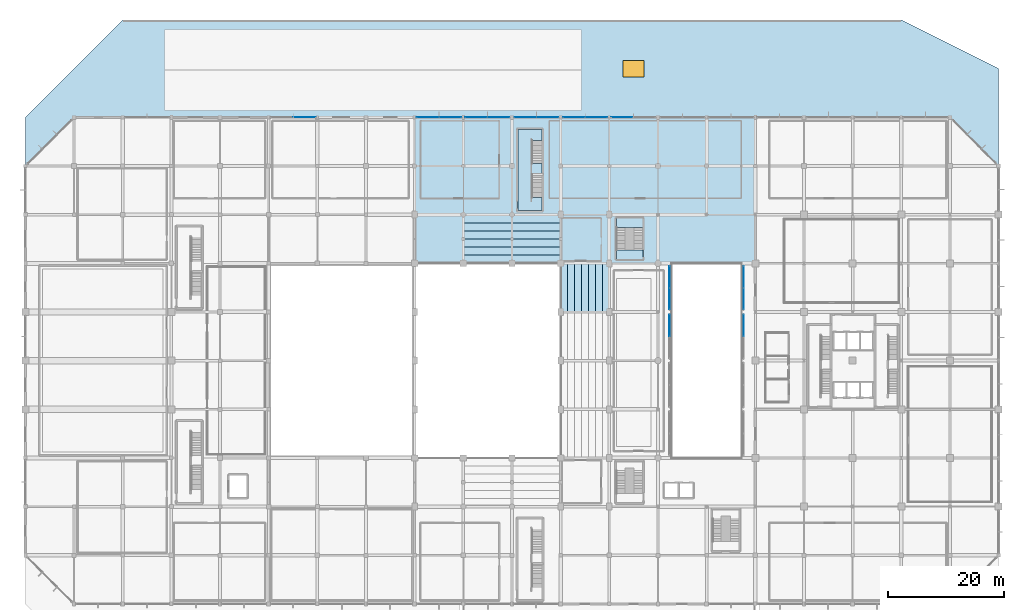
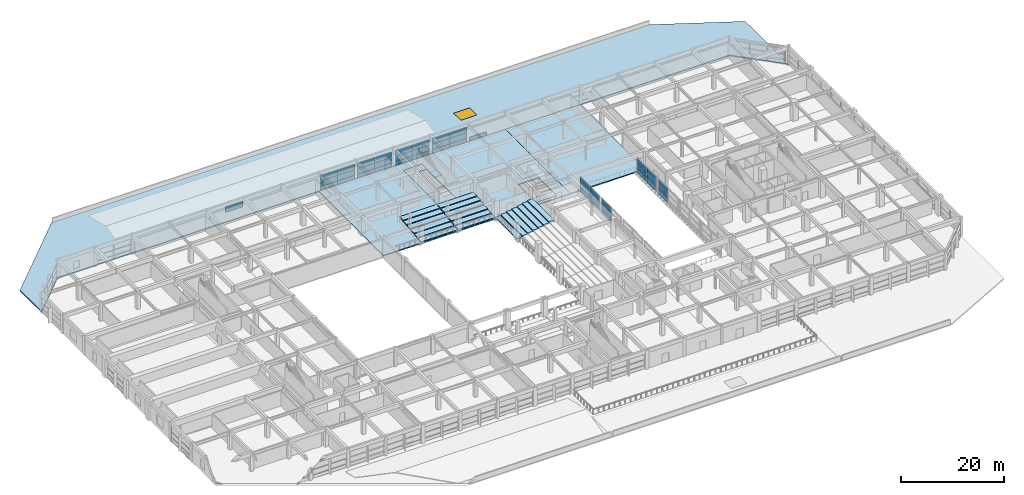
# One storey, part 39 of 60: 44 plates, 10 slabs, 1 window, 1 opening, 12 elements without a shape of their own.
"""IFC4 building model written with IfcOpenShell, lengths in metres."""

from ifc_helpers import new_model, si_unit, direction, frame, origin, origin_2d, place, context, subcontext, project, spatial, polyline, rectangle, outline, extrude, material, layer, layer_set, type_object, element, fill, aggregate, save


model = new_model("IFC4")

# Units and contexts
model_context = context("Model", 3, precision=1e-05, world=origin(), true_north=direction((0.0, 1.0)))
body_context = subcontext(model_context, "Body", "Model", "MODEL_VIEW")
ifc_project = project(units=[si_unit("LENGTHUNIT", "METRE"), si_unit("AREAUNIT", "SQUARE_METRE"), si_unit("VOLUMEUNIT", "CUBIC_METRE"), si_unit("PLANEANGLEUNIT", "RADIAN"), si_unit("MASSUNIT", "GRAM", prefix="KILO")], contexts=[model_context])

# Site, building, storey
site_placement = place(None, origin())
site = spatial("IfcSite", under=ifc_project, at=site_placement, CompositionType="ELEMENT")
building_placement = place(site_placement, origin())
building = spatial("IfcBuilding", under=site, at=building_placement, Name="Xuanlan Plaza Opera House", CompositionType="ELEMENT")
storey_placement = place(building_placement, frame((0.0, 0.0, 9.89990234375)))
storey = spatial("IfcBuildingStorey", under=building, at=storey_placement, Name="L02", CompositionType="ELEMENT", Elevation=9.89990234375)

# Curtain wall, plates
ifc_material_1 = material(Name="Anodised Aluminium 6063-T6 and Low-E Glass", Category="aluminium")
curtain_wall_type_1 = type_object("IfcCurtainWallType", Name="ENV-CW-CW-06", PredefinedType="USERDEFINED", material=ifc_material_1)
curtain_wall_1_placement = place(storey_placement, origin())
curtain_wall_1 = element("IfcCurtainWall", 1, at=curtain_wall_1_placement, inside=storey, type_object=curtain_wall_type_1, Name="Acoustic Glazed Wall L02-039", ObjectType="ACOUSTIC GLAZED WALL", PredefinedType="USERDEFINED")
ifc_material_2 = material(Name="Laminated Acoustic Double Glazing", Category="glass")
ifc_layer_1 = layer(ifc_material_2, 0.028076171875)
ifc_layer_set_1 = layer_set([ifc_layer_1], Name="Laminated Acoustic Double Glazing")
plate_type_1 = type_object("IfcPlateType", Name="ENV-CWP-01", PredefinedType="CURTAIN_PANEL", material=ifc_layer_set_1)
plate_1_placement = place(storey_placement, frame((73.358642578125, 100.800048828125, 0.0703125), z_axis=(0.0, 0.0, 1.0), x_axis=(-1.0, 0.0, 0.0)))
plate_1 = element("IfcPlate", 2, at=plate_1_placement, type_object=plate_type_1, Name="CW-06 panel 1.1", PredefinedType="CURTAIN_PANEL", context=body_context, shape_type="SweptSolid", body=[
    extrude(rectangle(XDim=3.79248046875, YDim=0.028076171875, at=origin_2d()), origin(), (0.0, 0.0, 1.0), 0.844970703125),
])
plate_2_placement = place(storey_placement, frame((73.358642578125, 100.800048828125, 0.985107421875), z_axis=(0.0, 0.0, 1.0), x_axis=(-1.0, 0.0, 0.0)))
plate_2 = element("IfcPlate", 3, at=plate_2_placement, type_object=plate_type_1, Name="CW-06 panel 1.2", PredefinedType="CURTAIN_PANEL", context=body_context, shape_type="SweptSolid", body=[
    extrude(rectangle(XDim=3.79248046875, YDim=0.028076171875, at=origin_2d()), origin(), (0.0, 0.0, 1.0), 1.22998046875),
])
plate_3_placement = place(storey_placement, frame((73.358642578125, 100.800048828125, 2.28515625), z_axis=(0.0, 0.0, 1.0), x_axis=(-1.0, 0.0, 0.0)))
plate_3 = element("IfcPlate", 4, at=plate_3_placement, type_object=plate_type_1, Name="CW-06 panel 1.3", PredefinedType="CURTAIN_PANEL", context=body_context, shape_type="SweptSolid", body=[
    extrude(rectangle(XDim=3.79248046875, YDim=0.028076171875, at=origin_2d()), origin(), (0.0, 0.0, 1.0), 1.324951171875),
])
plate_4_placement = place(storey_placement, frame((69.4912109375, 100.800048828125, 0.0703125), z_axis=(0.0, 0.0, 1.0), x_axis=(-1.0, 0.0, 0.0)))
plate_4 = element("IfcPlate", 5, at=plate_4_placement, type_object=plate_type_1, Name="CW-06 panel 2.1", PredefinedType="CURTAIN_PANEL", context=body_context, shape_type="SweptSolid", body=[
    extrude(rectangle(XDim=3.79248046875, YDim=0.028076171875, at=origin_2d()), origin(), (0.0, 0.0, 1.0), 0.844970703125),
])
plate_5_placement = place(storey_placement, frame((69.4912109375, 100.800048828125, 0.985107421875), z_axis=(0.0, 0.0, 1.0), x_axis=(-1.0, 0.0, 0.0)))
plate_5 = element("IfcPlate", 6, at=plate_5_placement, type_object=plate_type_1, Name="CW-06 panel 2.2", PredefinedType="CURTAIN_PANEL", context=body_context, shape_type="SweptSolid", body=[
    extrude(rectangle(XDim=3.79248046875, YDim=0.028076171875, at=origin_2d()), origin(), (0.0, 0.0, 1.0), 1.22998046875),
])
plate_6_placement = place(storey_placement, frame((69.4912109375, 100.800048828125, 2.28515625), z_axis=(0.0, 0.0, 1.0), x_axis=(-1.0, 0.0, 0.0)))
plate_6 = element("IfcPlate", 7, at=plate_6_placement, type_object=plate_type_1, Name="CW-06 panel 2.3", PredefinedType="CURTAIN_PANEL", context=body_context, shape_type="SweptSolid", body=[
    extrude(rectangle(XDim=3.79248046875, YDim=0.028076171875, at=origin_2d()), origin(), (0.0, 0.0, 1.0), 1.324951171875),
])
aggregate(curtain_wall_1, [plate_1, plate_2, plate_3, plate_4, plate_5, plate_6])

curtain_wall_type_2 = type_object("IfcCurtainWallType", Name="ENV-CW-CW-05", PredefinedType="USERDEFINED", material=ifc_material_1)
curtain_wall_2_placement = place(storey_placement, origin())
curtain_wall_2 = element("IfcCurtainWall", 8, at=curtain_wall_2_placement, inside=storey, type_object=curtain_wall_type_2, Name="Acoustic Glazed Wall L02-036", ObjectType="ACOUSTIC GLAZED WALL", PredefinedType="USERDEFINED")
ifc_layer_2 = layer(ifc_material_2, 0.031982421875)
ifc_layer_set_2 = layer_set([ifc_layer_2], Name="Laminated Acoustic Double Glazing")
plate_type_2 = type_object("IfcPlateType", Name="ENV-CWP-02", PredefinedType="CURTAIN_PANEL", material=ifc_layer_set_2)
plate_7_placement = place(storey_placement, frame((98.57373046875, 100.800048828125, 0.065185546875), z_axis=(0.0, 0.0, 1.0), x_axis=(-1.0, 0.0, 0.0)))
plate_7 = element("IfcPlate", 9, at=plate_7_placement, type_object=plate_type_2, Name="CW-05 panel 1.1", PredefinedType="CURTAIN_PANEL", context=body_context, shape_type="SweptSolid", body=[
    extrude(rectangle(XDim=3.782470703125, YDim=0.031982421875, at=origin_2d()), origin(), (0.0, 0.0, 1.0), 0.8525390625),
])
plate_8_placement = place(storey_placement, frame((98.57373046875, 100.800048828125, 0.982421875), z_axis=(0.0, 0.0, 1.0), x_axis=(-1.0, 0.0, 0.0)))
plate_8 = element("IfcPlate", 10, at=plate_8_placement, type_object=plate_type_2, Name="CW-05 panel 1.2", PredefinedType="CURTAIN_PANEL", context=body_context, shape_type="SweptSolid", body=[
    extrude(rectangle(XDim=3.782470703125, YDim=0.031982421875, at=origin_2d()), origin(), (0.0, 0.0, 1.0), 1.235107421875),
])
plate_9_placement = place(storey_placement, frame((98.57373046875, 100.800048828125, 2.282470703125), z_axis=(0.0, 0.0, 1.0), x_axis=(-1.0, 0.0, 0.0)))
plate_9 = element("IfcPlate", 11, at=plate_9_placement, type_object=plate_type_2, Name="CW-05 panel 1.3", PredefinedType="CURTAIN_PANEL", context=body_context, shape_type="SweptSolid", body=[
    extrude(rectangle(XDim=3.782470703125, YDim=0.031982421875, at=origin_2d()), origin(), (0.0, 0.0, 1.0), 1.33251953125),
])
plate_10_placement = place(storey_placement, frame((94.701171875, 100.800048828125, 0.065185546875), z_axis=(0.0, 0.0, 1.0), x_axis=(-1.0, 0.0, 0.0)))
plate_10 = element("IfcPlate", 12, at=plate_10_placement, type_object=plate_type_2, Name="CW-05 panel 2.1", PredefinedType="CURTAIN_PANEL", context=body_context, shape_type="SweptSolid", body=[
    extrude(rectangle(XDim=3.782470703125, YDim=0.031982421875, at=origin_2d()), origin(), (0.0, 0.0, 1.0), 0.8525390625),
])
plate_11_placement = place(storey_placement, frame((94.701171875, 100.800048828125, 0.982421875), z_axis=(0.0, 0.0, 1.0), x_axis=(-1.0, 0.0, 0.0)))
plate_11 = element("IfcPlate", 13, at=plate_11_placement, type_object=plate_type_2, Name="CW-05 panel 2.2", PredefinedType="CURTAIN_PANEL", context=body_context, shape_type="SweptSolid", body=[
    extrude(rectangle(XDim=3.782470703125, YDim=0.031982421875, at=origin_2d()), origin(), (0.0, 0.0, 1.0), 1.235107421875),
])
plate_12_placement = place(storey_placement, frame((94.701171875, 100.800048828125, 2.282470703125), z_axis=(0.0, 0.0, 1.0), x_axis=(-1.0, 0.0, 0.0)))
plate_12 = element("IfcPlate", 14, at=plate_12_placement, type_object=plate_type_2, Name="CW-05 panel 2.3", PredefinedType="CURTAIN_PANEL", context=body_context, shape_type="SweptSolid", body=[
    extrude(rectangle(XDim=3.782470703125, YDim=0.031982421875, at=origin_2d()), origin(), (0.0, 0.0, 1.0), 1.33251953125),
])
aggregate(curtain_wall_2, [plate_7, plate_8, plate_9, plate_10, plate_11, plate_12])

curtain_wall_3_placement = place(storey_placement, origin())
curtain_wall_3 = element("IfcCurtainWall", 15, at=curtain_wall_3_placement, inside=storey, type_object=curtain_wall_type_2, Name="Acoustic Glazed Wall L02-038", ObjectType="ACOUSTIC GLAZED WALL", PredefinedType="USERDEFINED")
ifc_layer_3 = layer(ifc_material_2, 0.035888671875)
ifc_layer_set_3 = layer_set([ifc_layer_3], Name="Laminated Acoustic Double Glazing")
plate_type_3 = type_object("IfcPlateType", Name="ENV-CWP-03", PredefinedType="CURTAIN_PANEL", material=ifc_layer_set_3)
plate_13_placement = place(storey_placement, frame((81.672607421875, 100.800048828125, 0.090087890625), z_axis=(0.0, 0.0, 1.0), x_axis=(-1.0, 0.0, 0.0)))
plate_13 = element("IfcPlate", 16, at=plate_13_placement, type_object=plate_type_3, Name="CW-05 panel 1.1", PredefinedType="CURTAIN_PANEL", context=body_context, shape_type="SweptSolid", body=[
    extrude(rectangle(XDim=3.77490234375, YDim=0.035888671875, at=origin_2d()), origin(), (0.0, 0.0, 1.0), 0.81494140625),
])
plate_14_placement = place(storey_placement, frame((81.672607421875, 100.800048828125, 0.9951171875), z_axis=(0.0, 0.0, 1.0), x_axis=(-1.0, 0.0, 0.0)))
plate_14 = element("IfcPlate", 17, at=plate_14_placement, type_object=plate_type_3, Name="CW-05 panel 1.2", PredefinedType="CURTAIN_PANEL", context=body_context, shape_type="SweptSolid", body=[
    extrude(rectangle(XDim=3.77490234375, YDim=0.035888671875, at=origin_2d()), origin(), (0.0, 0.0, 1.0), 1.2099609375),
])
plate_15_placement = place(storey_placement, frame((81.672607421875, 100.800048828125, 2.295166015625), z_axis=(0.0, 0.0, 1.0), x_axis=(-1.0, 0.0, 0.0)))
plate_15 = element("IfcPlate", 18, at=plate_15_placement, type_object=plate_type_3, Name="CW-05 panel 1.3", PredefinedType="CURTAIN_PANEL", context=body_context, shape_type="SweptSolid", body=[
    extrude(rectangle(XDim=3.77490234375, YDim=0.035888671875, at=origin_2d()), origin(), (0.0, 0.0, 1.0), 1.294921875),
])
plate_16_placement = place(storey_placement, frame((77.827392578125, 100.800048828125, 0.090087890625), z_axis=(0.0, 0.0, 1.0), x_axis=(-1.0, 0.0, 0.0)))
plate_16 = element("IfcPlate", 19, at=plate_16_placement, type_object=plate_type_3, Name="CW-05 panel 2.1", PredefinedType="CURTAIN_PANEL", context=body_context, shape_type="SweptSolid", body=[
    extrude(rectangle(XDim=3.77490234375, YDim=0.035888671875, at=origin_2d()), origin(), (0.0, 0.0, 1.0), 0.81494140625),
])
plate_17_placement = place(storey_placement, frame((77.827392578125, 100.800048828125, 0.9951171875), z_axis=(0.0, 0.0, 1.0), x_axis=(-1.0, 0.0, 0.0)))
plate_17 = element("IfcPlate", 20, at=plate_17_placement, type_object=plate_type_3, Name="CW-05 panel 2.2", PredefinedType="CURTAIN_PANEL", context=body_context, shape_type="SweptSolid", body=[
    extrude(rectangle(XDim=3.77490234375, YDim=0.035888671875, at=origin_2d()), origin(), (0.0, 0.0, 1.0), 1.2099609375),
])
plate_18_placement = place(storey_placement, frame((77.827392578125, 100.800048828125, 2.295166015625), z_axis=(0.0, 0.0, 1.0), x_axis=(-1.0, 0.0, 0.0)))
plate_18 = element("IfcPlate", 21, at=plate_18_placement, type_object=plate_type_3, Name="CW-05 panel 2.3", PredefinedType="CURTAIN_PANEL", context=body_context, shape_type="SweptSolid", body=[
    extrude(rectangle(XDim=3.77490234375, YDim=0.035888671875, at=origin_2d()), origin(), (0.0, 0.0, 1.0), 1.294921875),
])
aggregate(curtain_wall_3, [plate_13, plate_14, plate_15, plate_16, plate_17, plate_18])

# Curtain wall, plate
curtain_wall_4_placement = place(storey_placement, origin())
curtain_wall_4 = element("IfcCurtainWall", 22, at=curtain_wall_4_placement, inside=storey, type_object=curtain_wall_type_1, Name="Acoustic Glazed Wall L02-035", ObjectType="ACOUSTIC GLAZED WALL", PredefinedType="USERDEFINED")
ifc_layer_4 = layer(ifc_material_2, 0.0400390625)
ifc_layer_set_4 = layer_set([ifc_layer_4], Name="Laminated Acoustic Double Glazing")
plate_type_4 = type_object("IfcPlateType", Name="ENV-CWP-04", PredefinedType="CURTAIN_PANEL", material=ifc_layer_set_4)
plate_19_placement = place(storey_placement, frame((103.01123046875, 100.800048828125, 0.080078125), z_axis=(0.0, 0.0, 1.0), x_axis=(-1.0, 0.0, 0.0)))
plate_19 = element("IfcPlate", 23, at=plate_19_placement, type_object=plate_type_4, Name="CW-06 panel 2.1", PredefinedType="CURTAIN_PANEL", context=body_context, shape_type="SweptSolid", body=[
    extrude(rectangle(XDim=3.7724609375, YDim=0.0400390625, at=origin_2d()), origin(), (0.0, 0.0, 1.0), 0.830078125),
])
aggregate(curtain_wall_4, [plate_19])

# Curtain wall, plates
curtain_wall_5_placement = place(storey_placement, origin())
curtain_wall_5 = element("IfcCurtainWall", 24, at=curtain_wall_5_placement, inside=storey, type_object=curtain_wall_type_1, Name="Acoustic Glazed Wall L02-037", ObjectType="ACOUSTIC GLAZED WALL", PredefinedType="USERDEFINED")
ifc_layer_5 = layer(ifc_material_2, 0.0439453125)
ifc_layer_set_5 = layer_set([ifc_layer_5], Name="Laminated Acoustic Double Glazing")
plate_type_5 = type_object("IfcPlateType", Name="ENV-CWP-05", PredefinedType="CURTAIN_PANEL", material=ifc_layer_set_5)
plate_20_placement = place(storey_placement, frame((90.13623046875, 100.800048828125, 0.0751953125), z_axis=(0.0, 0.0, 1.0), x_axis=(-1.0, 0.0, 0.0)))
plate_20 = element("IfcPlate", 25, at=plate_20_placement, type_object=plate_type_5, Name="CW-06 panel 1.1", PredefinedType="CURTAIN_PANEL", context=body_context, shape_type="SweptSolid", body=[
    extrude(rectangle(XDim=3.757568359375, YDim=0.0439453125, at=origin_2d()), origin(), (0.0, 0.0, 1.0), 0.83740234375),
])
plate_21_placement = place(storey_placement, frame((90.13623046875, 100.800048828125, 0.987548828125), z_axis=(0.0, 0.0, 1.0), x_axis=(-1.0, 0.0, 0.0)))
plate_21 = element("IfcPlate", 26, at=plate_21_placement, type_object=plate_type_5, Name="CW-06 panel 1.2", PredefinedType="CURTAIN_PANEL", context=body_context, shape_type="SweptSolid", body=[
    extrude(rectangle(XDim=3.757568359375, YDim=0.0439453125, at=origin_2d()), origin(), (0.0, 0.0, 1.0), 1.22509765625),
])
plate_22_placement = place(storey_placement, frame((90.13623046875, 100.800048828125, 2.28759765625), z_axis=(0.0, 0.0, 1.0), x_axis=(-1.0, 0.0, 0.0)))
plate_22 = element("IfcPlate", 27, at=plate_22_placement, type_object=plate_type_5, Name="CW-06 panel 1.3", PredefinedType="CURTAIN_PANEL", context=body_context, shape_type="SweptSolid", body=[
    extrude(rectangle(XDim=3.757568359375, YDim=0.0439453125, at=origin_2d()), origin(), (0.0, 0.0, 1.0), 1.3173828125),
])
plate_23_placement = place(storey_placement, frame((86.313720703125, 100.800048828125, 0.0751953125), z_axis=(0.0, 0.0, 1.0), x_axis=(-1.0, 0.0, 0.0)))
plate_23 = element("IfcPlate", 28, at=plate_23_placement, type_object=plate_type_5, Name="CW-06 panel 2.1", PredefinedType="CURTAIN_PANEL", context=body_context, shape_type="SweptSolid", body=[
    extrude(rectangle(XDim=3.757568359375, YDim=0.0439453125, at=origin_2d()), origin(), (0.0, 0.0, 1.0), 0.83740234375),
])
plate_24_placement = place(storey_placement, frame((86.313720703125, 100.800048828125, 0.987548828125), z_axis=(0.0, 0.0, 1.0), x_axis=(-1.0, 0.0, 0.0)))
plate_24 = element("IfcPlate", 29, at=plate_24_placement, type_object=plate_type_5, Name="CW-06 panel 2.2", PredefinedType="CURTAIN_PANEL", context=body_context, shape_type="SweptSolid", body=[
    extrude(rectangle(XDim=3.757568359375, YDim=0.0439453125, at=origin_2d()), origin(), (0.0, 0.0, 1.0), 1.22509765625),
])
plate_25_placement = place(storey_placement, frame((86.313720703125, 100.800048828125, 2.28759765625), z_axis=(0.0, 0.0, 1.0), x_axis=(-1.0, 0.0, 0.0)))
plate_25 = element("IfcPlate", 30, at=plate_25_placement, type_object=plate_type_5, Name="CW-06 panel 2.3", PredefinedType="CURTAIN_PANEL", context=body_context, shape_type="SweptSolid", body=[
    extrude(rectangle(XDim=3.757568359375, YDim=0.0439453125, at=origin_2d()), origin(), (0.0, 0.0, 1.0), 1.3173828125),
])
aggregate(curtain_wall_5, [plate_20, plate_21, plate_22, plate_23, plate_24, plate_25])

# Curtain wall, plate
curtain_wall_type_3 = type_object("IfcCurtainWallType", Name="ENV-CW-CW-02", PredefinedType="USERDEFINED", material=ifc_material_1)
curtain_wall_6_placement = place(storey_placement, origin())
curtain_wall_6 = element("IfcCurtainWall", 31, at=curtain_wall_6_placement, inside=storey, type_object=curtain_wall_type_3, Name="Unitised Curtain Wall L02-042", ObjectType="UNITISED CURTAIN WALL", PredefinedType="USERDEFINED")
plate_26_placement = place(storey_placement, frame((48.179931640625, 100.800048828125, 2.28759765625), z_axis=(0.0, 0.0, 1.0), x_axis=(-1.0, 0.0, 0.0)))
plate_26 = element("IfcPlate", 32, at=plate_26_placement, type_object=plate_type_5, Name="CW-02 panel 1.3", PredefinedType="CURTAIN_PANEL", context=body_context, shape_type="SweptSolid", body=[
    extrude(rectangle(XDim=3.820068359375, YDim=0.0439453125, at=origin_2d()), origin(), (0.0, 0.0, 1.0), 1.3173828125),
])
aggregate(curtain_wall_6, [plate_26])

# Curtain wall, plates
curtain_wall_7_placement = place(storey_placement, origin())
curtain_wall_7 = element("IfcCurtainWall", 33, at=curtain_wall_7_placement, inside=storey, type_object=curtain_wall_type_1, Name="Acoustic Glazed Wall ATR-L02-13", ObjectType="ACOUSTIC GLAZED WALL", PredefinedType="USERDEFINED")
plate_27_placement = place(storey_placement, frame((111.199951171875, 64.902587890625, 0.090087890625), z_axis=(0.0, 0.0, 1.0), x_axis=(0.0, 1.0, 0.0)))
plate_27 = element("IfcPlate", 34, at=plate_27_placement, type_object=plate_type_5, Name="CW-06 panel 2.1", PredefinedType="CURTAIN_PANEL", context=body_context, shape_type="SweptSolid", body=[
    extrude(rectangle(XDim=3.715087890625, YDim=0.0439453125, at=origin_2d()), origin(), (0.0, 0.0, 1.0), 0.81494140625),
])
plate_28_placement = place(storey_placement, frame((111.199951171875, 64.902587890625, 0.9951171875), z_axis=(0.0, 0.0, 1.0), x_axis=(0.0, 1.0, 0.0)))
plate_28 = element("IfcPlate", 35, at=plate_28_placement, type_object=plate_type_5, Name="CW-06 panel 2.2", PredefinedType="CURTAIN_PANEL", context=body_context, shape_type="SweptSolid", body=[
    extrude(rectangle(XDim=3.715087890625, YDim=0.0439453125, at=origin_2d()), origin(), (0.0, 0.0, 1.0), 1.2099609375),
])
plate_29_placement = place(storey_placement, frame((111.199951171875, 64.902587890625, 2.295166015625), z_axis=(0.0, 0.0, 1.0), x_axis=(0.0, 1.0, 0.0)))
plate_29 = element("IfcPlate", 36, at=plate_29_placement, type_object=plate_type_5, Name="CW-06 panel 2.3", PredefinedType="CURTAIN_PANEL", context=body_context, shape_type="SweptSolid", body=[
    extrude(rectangle(XDim=3.715087890625, YDim=0.0439453125, at=origin_2d()), origin(), (0.0, 0.0, 1.0), 1.294921875),
])
aggregate(curtain_wall_7, [plate_27, plate_28, plate_29])

curtain_wall_8_placement = place(storey_placement, origin())
curtain_wall_8 = element("IfcCurtainWall", 37, at=curtain_wall_8_placement, inside=storey, type_object=curtain_wall_type_1, Name="Acoustic Glazed Wall ATR-L02-14", ObjectType="ACOUSTIC GLAZED WALL", PredefinedType="USERDEFINED")
plate_30_placement = place(storey_placement, frame((111.199951171875, 69.472412109375, 0.090087890625), z_axis=(0.0, 0.0, 1.0), x_axis=(0.0, 1.0, 0.0)))
plate_30 = element("IfcPlate", 38, at=plate_30_placement, type_object=plate_type_5, Name="CW-06 panel 1.1", PredefinedType="CURTAIN_PANEL", context=body_context, shape_type="SweptSolid", body=[
    extrude(rectangle(XDim=3.6650390625, YDim=0.0439453125, at=origin_2d()), origin(), (0.0, 0.0, 1.0), 0.81494140625),
])
plate_31_placement = place(storey_placement, frame((111.199951171875, 69.472412109375, 0.9951171875), z_axis=(0.0, 0.0, 1.0), x_axis=(0.0, 1.0, 0.0)))
plate_31 = element("IfcPlate", 39, at=plate_31_placement, type_object=plate_type_5, Name="CW-06 panel 1.2", PredefinedType="CURTAIN_PANEL", context=body_context, shape_type="SweptSolid", body=[
    extrude(rectangle(XDim=3.6650390625, YDim=0.0439453125, at=origin_2d()), origin(), (0.0, 0.0, 1.0), 1.2099609375),
])
plate_32_placement = place(storey_placement, frame((111.199951171875, 69.472412109375, 2.295166015625), z_axis=(0.0, 0.0, 1.0), x_axis=(0.0, 1.0, 0.0)))
plate_32 = element("IfcPlate", 40, at=plate_32_placement, type_object=plate_type_5, Name="CW-06 panel 1.3", PredefinedType="CURTAIN_PANEL", context=body_context, shape_type="SweptSolid", body=[
    extrude(rectangle(XDim=3.6650390625, YDim=0.0439453125, at=origin_2d()), origin(), (0.0, 0.0, 1.0), 1.294921875),
])
plate_33_placement = place(storey_placement, frame((111.199951171875, 73.2275390625, 0.090087890625), z_axis=(0.0, 0.0, 1.0), x_axis=(0.0, 1.0, 0.0)))
plate_33 = element("IfcPlate", 41, at=plate_33_placement, type_object=plate_type_5, Name="CW-06 panel 2.1", PredefinedType="CURTAIN_PANEL", context=body_context, shape_type="SweptSolid", body=[
    extrude(rectangle(XDim=3.6650390625, YDim=0.0439453125, at=origin_2d()), origin(), (0.0, 0.0, 1.0), 0.81494140625),
])
plate_34_placement = place(storey_placement, frame((111.199951171875, 73.2275390625, 0.9951171875), z_axis=(0.0, 0.0, 1.0), x_axis=(0.0, 1.0, 0.0)))
plate_34 = element("IfcPlate", 42, at=plate_34_placement, type_object=plate_type_5, Name="CW-06 panel 2.2", PredefinedType="CURTAIN_PANEL", context=body_context, shape_type="SweptSolid", body=[
    extrude(rectangle(XDim=3.6650390625, YDim=0.0439453125, at=origin_2d()), origin(), (0.0, 0.0, 1.0), 1.2099609375),
])
plate_35_placement = place(storey_placement, frame((111.199951171875, 73.2275390625, 2.295166015625), z_axis=(0.0, 0.0, 1.0), x_axis=(0.0, 1.0, 0.0)))
plate_35 = element("IfcPlate", 43, at=plate_35_placement, type_object=plate_type_5, Name="CW-06 panel 2.3", PredefinedType="CURTAIN_PANEL", context=body_context, shape_type="SweptSolid", body=[
    extrude(rectangle(XDim=3.6650390625, YDim=0.0439453125, at=origin_2d()), origin(), (0.0, 0.0, 1.0), 1.294921875),
])
aggregate(curtain_wall_8, [plate_30, plate_31, plate_32, plate_33, plate_34, plate_35])

curtain_wall_9_placement = place(storey_placement, origin())
curtain_wall_9 = element("IfcCurtainWall", 44, at=curtain_wall_9_placement, inside=storey, type_object=curtain_wall_type_1, Name="Acoustic Glazed Wall ATR-L02-23", ObjectType="ACOUSTIC GLAZED WALL", PredefinedType="USERDEFINED")
plate_36_placement = place(storey_placement, frame((124.0, 64.902587890625, 0.090087890625), z_axis=(0.0, 0.0, 1.0), x_axis=(0.0, 1.0, 0.0)))
plate_36 = element("IfcPlate", 45, at=plate_36_placement, type_object=plate_type_5, Name="CW-06 panel 2.1", PredefinedType="CURTAIN_PANEL", context=body_context, shape_type="SweptSolid", body=[
    extrude(rectangle(XDim=3.715087890625, YDim=0.0439453125, at=origin_2d()), origin(), (0.0, 0.0, 1.0), 0.81494140625),
])
plate_37_placement = place(storey_placement, frame((124.0, 64.902587890625, 0.9951171875), z_axis=(0.0, 0.0, 1.0), x_axis=(0.0, 1.0, 0.0)))
plate_37 = element("IfcPlate", 46, at=plate_37_placement, type_object=plate_type_5, Name="CW-06 panel 2.2", PredefinedType="CURTAIN_PANEL", context=body_context, shape_type="SweptSolid", body=[
    extrude(rectangle(XDim=3.715087890625, YDim=0.0439453125, at=origin_2d()), origin(), (0.0, 0.0, 1.0), 1.2099609375),
])
plate_38_placement = place(storey_placement, frame((124.0, 64.902587890625, 2.295166015625), z_axis=(0.0, 0.0, 1.0), x_axis=(0.0, 1.0, 0.0)))
plate_38 = element("IfcPlate", 47, at=plate_38_placement, type_object=plate_type_5, Name="CW-06 panel 2.3", PredefinedType="CURTAIN_PANEL", context=body_context, shape_type="SweptSolid", body=[
    extrude(rectangle(XDim=3.715087890625, YDim=0.0439453125, at=origin_2d()), origin(), (0.0, 0.0, 1.0), 1.294921875),
])
aggregate(curtain_wall_9, [plate_36, plate_37, plate_38])

curtain_wall_10_placement = place(storey_placement, origin())
curtain_wall_10 = element("IfcCurtainWall", 48, at=curtain_wall_10_placement, inside=storey, type_object=curtain_wall_type_1, Name="Acoustic Glazed Wall ATR-L02-24", ObjectType="ACOUSTIC GLAZED WALL", PredefinedType="USERDEFINED")
plate_39_placement = place(storey_placement, frame((124.0, 69.472412109375, 0.090087890625), z_axis=(0.0, 0.0, 1.0), x_axis=(0.0, 1.0, 0.0)))
plate_39 = element("IfcPlate", 49, at=plate_39_placement, type_object=plate_type_5, Name="CW-06 panel 1.1", PredefinedType="CURTAIN_PANEL", context=body_context, shape_type="SweptSolid", body=[
    extrude(rectangle(XDim=3.6650390625, YDim=0.0439453125, at=origin_2d()), origin(), (0.0, 0.0, 1.0), 0.81494140625),
])
plate_40_placement = place(storey_placement, frame((124.0, 69.472412109375, 0.9951171875), z_axis=(0.0, 0.0, 1.0), x_axis=(0.0, 1.0, 0.0)))
plate_40 = element("IfcPlate", 50, at=plate_40_placement, type_object=plate_type_5, Name="CW-06 panel 1.2", PredefinedType="CURTAIN_PANEL", context=body_context, shape_type="SweptSolid", body=[
    extrude(rectangle(XDim=3.6650390625, YDim=0.0439453125, at=origin_2d()), origin(), (0.0, 0.0, 1.0), 1.2099609375),
])
plate_41_placement = place(storey_placement, frame((124.0, 69.472412109375, 2.295166015625), z_axis=(0.0, 0.0, 1.0), x_axis=(0.0, 1.0, 0.0)))
plate_41 = element("IfcPlate", 51, at=plate_41_placement, type_object=plate_type_5, Name="CW-06 panel 1.3", PredefinedType="CURTAIN_PANEL", context=body_context, shape_type="SweptSolid", body=[
    extrude(rectangle(XDim=3.6650390625, YDim=0.0439453125, at=origin_2d()), origin(), (0.0, 0.0, 1.0), 1.294921875),
])
plate_42_placement = place(storey_placement, frame((124.0, 73.2275390625, 0.090087890625), z_axis=(0.0, 0.0, 1.0), x_axis=(0.0, 1.0, 0.0)))
plate_42 = element("IfcPlate", 52, at=plate_42_placement, type_object=plate_type_5, Name="CW-06 panel 2.1", PredefinedType="CURTAIN_PANEL", context=body_context, shape_type="SweptSolid", body=[
    extrude(rectangle(XDim=3.6650390625, YDim=0.0439453125, at=origin_2d()), origin(), (0.0, 0.0, 1.0), 0.81494140625),
])
plate_43_placement = place(storey_placement, frame((124.0, 73.2275390625, 0.9951171875), z_axis=(0.0, 0.0, 1.0), x_axis=(0.0, 1.0, 0.0)))
plate_43 = element("IfcPlate", 53, at=plate_43_placement, type_object=plate_type_5, Name="CW-06 panel 2.2", PredefinedType="CURTAIN_PANEL", context=body_context, shape_type="SweptSolid", body=[
    extrude(rectangle(XDim=3.6650390625, YDim=0.0439453125, at=origin_2d()), origin(), (0.0, 0.0, 1.0), 1.2099609375),
])
plate_44_placement = place(storey_placement, frame((124.0, 73.2275390625, 2.295166015625), z_axis=(0.0, 0.0, 1.0), x_axis=(0.0, 1.0, 0.0)))
plate_44 = element("IfcPlate", 54, at=plate_44_placement, type_object=plate_type_5, Name="CW-06 panel 2.3", PredefinedType="CURTAIN_PANEL", context=body_context, shape_type="SweptSolid", body=[
    extrude(rectangle(XDim=3.6650390625, YDim=0.0439453125, at=origin_2d()), origin(), (0.0, 0.0, 1.0), 1.294921875),
])
aggregate(curtain_wall_10, [plate_39, plate_40, plate_41, plate_42, plate_43, plate_44])

# Stair, slabs
ifc_material_3 = material(Name="Concrete C40", Category="concrete")
stair_type_1 = type_object("IfcStairType", Name="INT-ST-STR-F130", PredefinedType="HALF_TURN_STAIR", material=ifc_material_3)
stair_1_placement = place(storey_placement, origin())
stair_1 = element("IfcStair", 55, at=stair_1_placement, inside=storey, type_object=stair_type_1, Name="Grand Foyer Feature Stair ST-F2 L02", PredefinedType="HALF_TURN_STAIR")
ifc_layer_6 = layer(ifc_material_3, 0.18994140625)
ifc_layer_set_6 = layer_set([ifc_layer_6], Name="Concrete C40")
slab_type_1 = type_object("IfcSlabType", Name="INT-SLB-LND-19", PredefinedType="LANDING", material=ifc_layer_set_6)
slab_1_placement = place(storey_placement, frame((0.0, 0.0, 2.06005859375)))
slab_1 = element("IfcSlab", 56, at=slab_1_placement, type_object=slab_type_1, Name="ST-F2-L02 landing 1", PredefinedType="LANDING", context=body_context, shape_type="SweptSolid", body=[
    extrude(outline(polyline([(102.0, 81.77490234375), (106.60009765625, 81.77490234375), (106.60009765625, 83.3798828125), (102.0, 83.3798828125), (102.0, 81.77490234375)])), origin(), (0.0, 0.0, 1.0), 0.18994140625),
])
slab_2_placement = place(storey_placement, frame((0.0, 0.0, -0.18994140625)))
slab_2 = element("IfcSlab", 57, at=slab_2_placement, type_object=slab_type_1, Name="ST-F2-L02 landing 2", PredefinedType="LANDING", context=body_context, shape_type="SweptSolid", body=[
    extrude(outline(polyline([(102.0, 76.300048828125), (106.60009765625, 76.300048828125), (106.60009765625, 77.905029296875), (102.0, 77.905029296875), (102.0, 76.300048828125)])), origin(), (0.0, 0.0, 1.0), 0.18994140625),
])
aggregate(stair_1, [slab_1, slab_2])

stair_type_2 = type_object("IfcStairType", Name="INT-ST-STR-P180", PredefinedType="STRAIGHT_RUN_STAIR", material=ifc_material_3)
stair_2_placement = place(storey_placement, origin())
stair_2 = element("IfcStair", 58, at=stair_2_placement, inside=storey, type_object=stair_type_2, Name="Protected Exit Stair ST-P4 L02", PredefinedType="STRAIGHT_RUN_STAIR")
ifc_layer_7 = layer(ifc_material_3, 0.199951171875)
ifc_layer_set_7 = layer_set([ifc_layer_7], Name="Concrete C40")
slab_type_2 = type_object("IfcSlabType", Name="INT-SLB-LND-20", PredefinedType="LANDING", material=ifc_layer_set_7)
slab_3_placement = place(storey_placement, frame((0.0, 0.0, 2.050048828125)))
slab_3 = element("IfcSlab", 59, at=slab_3_placement, type_object=slab_type_2, Name="ST-P4-L02 landing 1", PredefinedType="LANDING", context=body_context, shape_type="SweptSolid", body=[
    extrude(outline(polyline([(87.39990234375, 90.93505859375), (89.199951171875, 90.93505859375), (89.199951171875, 92.8349609375), (87.39990234375, 92.8349609375), (87.39990234375, 90.93505859375)])), origin(), (0.0, 0.0, 1.0), 0.199951171875),
])
slab_4_placement = place(storey_placement, frame((0.0, 0.0, -0.199951171875)))
slab_4 = element("IfcSlab", 60, at=slab_4_placement, type_object=slab_type_2, Name="ST-P4-L02 landing 2", PredefinedType="LANDING", context=body_context, shape_type="SweptSolid", body=[
    extrude(outline(polyline([(85.0, 84.699951171875), (89.199951171875, 84.699951171875), (89.199951171875, 86.9951171875), (87.39990234375, 86.9951171875), (87.39990234375, 96.77490234375), (89.199951171875, 96.77490234375), (89.199951171875, 98.699951171875), (85.0, 98.699951171875), (85.0, 84.699951171875)])), origin(), (0.0, 0.0, 1.0), 0.199951171875),
])
aggregate(stair_2, [slab_3, slab_4])

# Slab, opening, window
ifc_layer_8 = layer(ifc_material_3, 0.25)
ifc_layer_set_8 = layer_set([ifc_layer_8], Name="Concrete C40")
slab_type_3 = type_object("IfcSlabType", Name="STR-SLB-RF-01", PredefinedType="ROOF", material=ifc_layer_set_8)
slab_5_placement = place(storey_placement, frame((0.0, 0.0, -0.25)))
slab_5 = element("IfcSlab", 61, at=slab_5_placement, inside=storey, type_object=slab_type_3, Name="North Podium Arcade Roof Slab", PredefinedType="ROOF", context=body_context, shape_type="SweptSolid", body=[
    extrude(outline(polyline([(0.0, 92.39990234375), (8.39990234375, 100.800048828125), (159.60009765625, 100.800048828125), (168.0, 92.39990234375), (168.0, 109.199951171875), (151.199951171875, 117.60009765625), (16.800048828125, 117.60009765625), (0.0, 100.800048828125), (0.0, 92.39990234375)]), holes=[polyline([(103.199951171875, 107.800048828125), (106.800048828125, 107.800048828125), (106.800048828125, 110.60009765625), (103.199951171875, 110.60009765625), (103.199951171875, 107.800048828125)])]), origin(), (0.0, 0.0, 1.0), 0.25),
])
opening_placement = place(slab_5_placement, frame((105.0, 109.199951171875, 0.0)))
opening = element("IfcOpeningElement", 62, at=opening_placement, cuts=slab_5, Name="Opening SK-03", PredefinedType="OPENING", context=body_context, shape_type="SweptSolid", body=[
    extrude(rectangle(XDim=3.60009765625, YDim=2.800048828125, at=origin_2d()), origin(), (0.0, 0.0, 1.0), 0.25),
])
window_type = type_object("IfcWindowType", Name="ENV-WN-SK-03", PartitioningType="SINGLE_PANEL", PredefinedType="SKYLIGHT", material=ifc_material_1)
window_placement = place(opening_placement, frame((0.0, 0.0, 0.199951171875)))
window = element("IfcWindow", 63, at=window_placement, inside=storey, type_object=window_type, Name="North Foyer Arcade Roof Skylight", OverallHeight=2.800048828125, OverallWidth=3.60009765625, PartitioningType="SINGLE_PANEL", PredefinedType="SKYLIGHT", context=body_context, shape_type="SweptSolid", body=[
    extrude(rectangle(XDim=3.60009765625, YDim=2.800048828125, at=origin_2d()), origin(), (0.0, 0.0, 1.0), 0.050048828125),
])
fill(opening, window)

# Slabs
ifc_layer_9 = layer(ifc_material_3, 0.260009765625)
ifc_layer_set_9 = layer_set([ifc_layer_9], Name="Concrete C40")
slab_type_4 = type_object("IfcSlabType", Name="STR-SLB-SL-02", PredefinedType="FLOOR", material=ifc_layer_set_9)
slab_6_placement = place(storey_placement, frame((0.0, 0.0, -0.260009765625)))
element("IfcSlab", 64, at=slab_6_placement, inside=storey, type_object=slab_type_4, Name="Storey L02 Structural Floor Slab Zone 09", PredefinedType="FLOOR", context=body_context, shape_type="SweptSolid", body=[
    extrude(outline(polyline([(109.199951171875, 100.800048828125), (109.199951171875, 75.60009765625), (100.800048828125, 75.60009765625), (67.199951171875, 75.60009765625), (67.199951171875, 100.800048828125), (109.199951171875, 100.800048828125)]), holes=[polyline([(89.199951171875, 84.699951171875), (89.199951171875, 98.699951171875), (85.0, 98.699951171875), (85.0, 84.699951171875), (89.199951171875, 84.699951171875)]), polyline([(102.0, 83.3798828125), (102.0, 76.300048828125), (106.60009765625, 76.300048828125), (106.60009765625, 83.3798828125), (102.0, 83.3798828125)])]), origin(), (0.0, 0.0, 1.0), 0.260009765625),
])
slab_7_placement = place(storey_placement, frame((0.0, 0.0, -0.260009765625)))
element("IfcSlab", 65, at=slab_7_placement, inside=storey, type_object=slab_type_4, Name="Storey L02 Structural Floor Slab Zone 13", PredefinedType="FLOOR", context=body_context, shape_type="SweptSolid", body=[
    extrude(outline(polyline([(126.0, 100.800048828125), (126.0, 75.60009765625), (123.60009765625, 75.60009765625), (111.60009765625, 75.60009765625), (109.199951171875, 75.60009765625), (109.199951171875, 100.800048828125), (126.0, 100.800048828125)])), origin(), (0.0, 0.0, 1.0), 0.260009765625),
])
ifc_layer_10 = layer(ifc_material_3, 0.27001953125)
ifc_layer_set_10 = layer_set([ifc_layer_10], Name="Concrete C40")
slab_type_5 = type_object("IfcSlabType", Name="STR-SLB-TIER-02", PredefinedType="USERDEFINED", material=ifc_layer_set_10)
slab_8_placement = place(storey_placement, frame((92.39990234375, 71.39990234375, 0.0), z_axis=(0.0, 0.0, 1.0), x_axis=(1.0, 0.0, 0.0)))
element("IfcSlab", 66, at=slab_8_placement, inside=storey, type_object=slab_type_5, Name="Auditorium Dress Seating Tier Bay 4", ObjectType="SEATING TIER", PredefinedType="USERDEFINED", context=body_context, shape_type="SweptSolid", body=[
    extrude(outline(polyline([(0.0, 0.0), (0.0, 0.27001953125), (1.199951171875, 0.27001953125), (1.199951171875, 0.510009765625), (2.39990234375, 0.510009765625), (2.39990234375, 0.75), (3.60009765625, 0.75), (3.60009765625, 0.989990234375), (4.800048828125, 0.989990234375), (4.800048828125, 1.22998046875), (6.0, 1.22998046875), (6.0, 1.469970703125), (7.199951171875, 1.469970703125), (7.199951171875, 1.7099609375), (8.39990234375, 1.7099609375), (8.39990234375, 1.43994140625), (0.0, 0.0)])), frame((0.0, 4.199951171875, 0.0), z_axis=(0.0, -1.0, 0.0), x_axis=(1.0, 0.0, 0.0)), (0.0, 0.0, 1.0), 8.39990234375),
])
for number, where, z_axis, x_axis, name in (
    (67, (79.800048828125, 75.60009765625, 0.0), (0.0, 0.0, 1.0), (0.0, 1.0, 0.0), "Auditorium Side Vineyard Seating Tier L02 North 1"),
    (68, (88.199951171875, 75.60009765625, 0.0), (0.0, 0.0, 1.0), (0.0, 1.0, 0.0), "Auditorium Side Vineyard Seating Tier L02 North 2"),
):
    element("IfcSlab", number, at=place(storey_placement, frame(where, z_axis=z_axis, x_axis=x_axis)), inside=storey, type_object=slab_type_5, Name=name, ObjectType="SEATING TIER", PredefinedType="USERDEFINED", context=body_context, shape_type="SweptSolid", body=[
        extrude(outline(polyline([(0.0, 0.0), (0.0, 0.25), (1.39990234375, 0.25), (1.39990234375, 0.429931640625), (2.800048828125, 0.429931640625), (2.800048828125, 0.610107421875), (4.199951171875, 0.610107421875), (4.199951171875, 0.7900390625), (5.60009765625, 0.7900390625), (5.60009765625, 0.969970703125), (7.0, 0.969970703125), (7.0, 1.14990234375), (8.39990234375, 1.14990234375), (8.39990234375, 0.89990234375), (0.0, 0.0)])), frame((0.0, 4.10009765625, 0.0), z_axis=(0.0, -1.0, 0.0), x_axis=(1.0, 0.0, 0.0)), (0.0, 0.0, 1.0), 8.199951171875),
    ])

save(model, "model.ifc")
